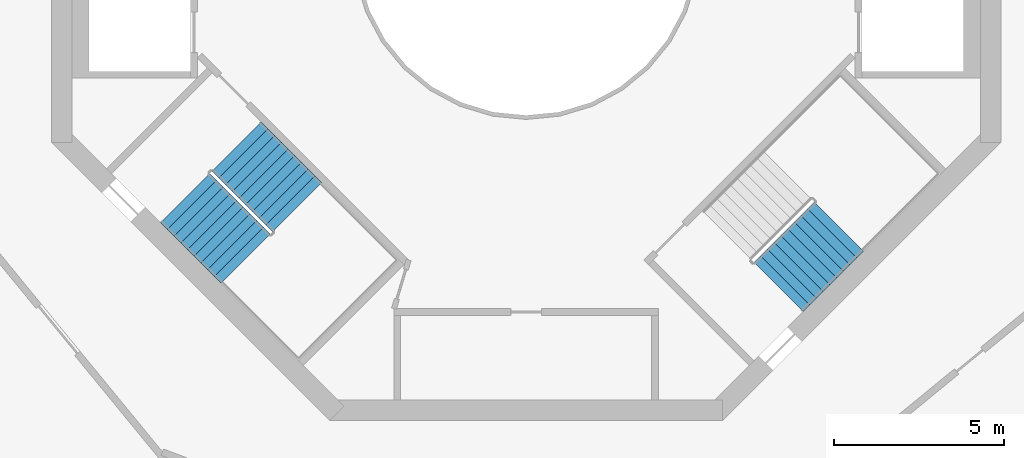
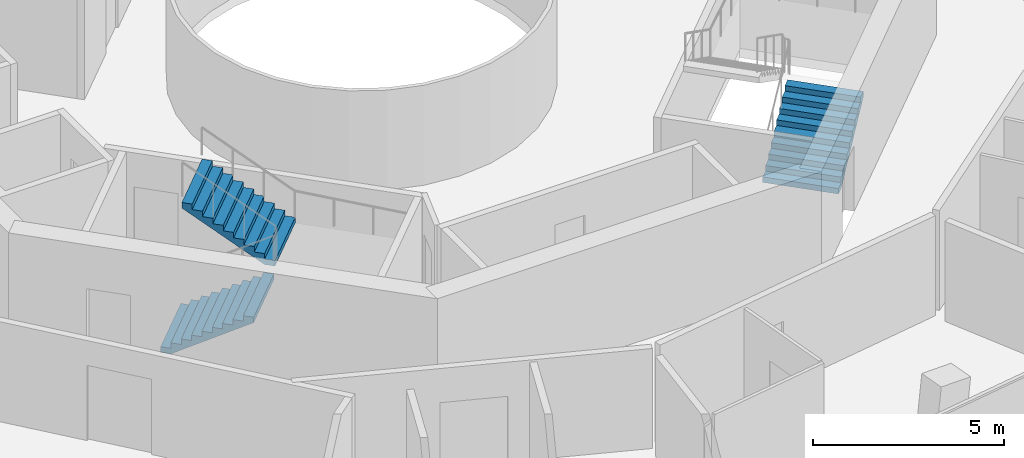
# One storey, part 19 of 21: 3 stair flights, 2 elements without a shape of their own.
"""IFC4 building model written with IfcOpenShell, lengths in metres."""

from ifc_helpers import new_model, si_unit, direction, frame, origin, place, context, subcontext, project, spatial, triangles, material, type_object, element, aggregate, save


model = new_model("IFC4")

# Units and contexts
model_context = context("Model", 3, precision=1e-05, world=origin(), true_north=direction((0.0, 1.0)))
body_context = subcontext(model_context, "Body", "Model", "MODEL_VIEW")
ifc_project = project(units=[si_unit("LENGTHUNIT", "METRE"), si_unit("AREAUNIT", "SQUARE_METRE"), si_unit("VOLUMEUNIT", "CUBIC_METRE"), si_unit("PLANEANGLEUNIT", "RADIAN"), si_unit("MASSUNIT", "GRAM", prefix="KILO")], contexts=[model_context])

# Site, building, storey
site_placement = place(None, origin())
site = spatial("IfcSite", under=ifc_project, at=site_placement, CompositionType="ELEMENT")
building_placement = place(site_placement, origin())
building = spatial("IfcBuilding", under=site, at=building_placement, Name="Verdalira Terraces Hotel", CompositionType="ELEMENT")
storey_placement = place(building_placement, frame((0.0, 0.0, 194.0)))
storey = spatial("IfcBuildingStorey", under=building, at=storey_placement, Name="L47", CompositionType="ELEMENT", Elevation=194.0)

# Stair, stair flights
ifc_material_1 = material(Name="Concrete C40", Category="concrete")
stair_type = type_object("IfcStairType", Name="Core stair 20 risers 2050 mm wide", PredefinedType="HALF_TURN_STAIR", material=ifc_material_1)
stair_1_placement = place(storey_placement, origin())
stair_1 = element("IfcStair", 1, at=stair_1_placement, inside=storey, type_object=stair_type, Name="L47 Exit stair ST2", PredefinedType="HALF_TURN_STAIR")
ifc_material_2 = material(Name="Concrete C40", Category="concrete")
stair_flight_type = type_object("IfcStairFlightType", Name="Core stair flight 20 risers 2050 mm wide", PredefinedType="STRAIGHT", material=ifc_material_2)
stair_flight_1_placement = place(storey_placement, frame((-10.058594, -7.442383, 0.0), z_axis=(0.0, 0.0, 1.0), x_axis=(0.707106781, -0.707106781, 0.0)))
stair_flight_1 = element("IfcStairFlight", 2, at=stair_flight_1_placement, type_object=stair_flight_type, Name="ST2 flight 1", NumberOfRisers=10, NumberOfTreads=9, PredefinedType="STRAIGHT", RiserHeight=0.175, TreadLength=0.28, context=body_context, shape_type="Tessellation", body=[
    triangles([(0.0, 1.025024, 0.0), (0.282715, 1.025024, 0.0), (2.52002, 1.025024, 1.398193), (0.0, -1.025024, 0.0), (0.282715, -1.025024, 0.0), (2.52002, -1.025024, 1.398193), (2.52002, 1.025024, 1.574951), (2.23999, 1.025024, 1.574951), (2.52002, -1.025024, 1.574951), (2.23999, -1.025024, 1.574951), (2.23999, 1.025024, 1.399902), (2.23999, -1.025024, 1.399902), (1.959961, 1.025024, 1.399902), (1.959961, -1.025024, 1.399902), (1.959961, 1.025024, 1.225098), (1.959961, -1.025024, 1.225098), (1.679932, 1.025024, 1.225098), (1.679932, 1.025024, 1.050049), (1.679932, -1.025024, 1.225098), (1.679932, -1.025024, 1.050049), (1.399902, 1.025024, 1.050049), (1.399902, 1.025024, 0.875), (1.399902, -1.025024, 1.050049), (1.399902, -1.025024, 0.875), (1.120117, 1.025024, 0.875), (1.120117, 1.025024, 0.699951), (1.120117, -1.025024, 0.875), (1.120117, -1.025024, 0.699951), (0.840088, 1.025024, 0.699951), (0.840088, 1.025024, 0.524902), (0.840088, -1.025024, 0.699951), (0.840088, -1.025024, 0.524902), (0.560059, 1.025024, 0.524902), (0.560059, 1.025024, 0.350098), (0.560059, -1.025024, 0.524902), (0.560059, -1.025024, 0.350098), (0.280029, 1.025024, 0.350098), (0.280029, 1.025024, 0.175049), (0.280029, -1.025024, 0.350098), (0.280029, -1.025024, 0.175049), (0.0, 1.025024, 0.175049), (0.0, -1.025024, 0.175049), (0.0, -0.96096, 0.0), (0.0, -0.96096, 0.175049), (0.0, -0.896896, 0.0), (0.0, -0.896896, 0.175049), (0.0, -0.832832, 0.0), (0.0, -0.832832, 0.175049), (0.0, -0.768768, 0.0), (0.0, -0.768768, 0.175049), (0.0, -0.704704, 0.0), (0.0, -0.704704, 0.175049), (0.0, -0.64064, 0.0), (0.0, -0.64064, 0.175049), (0.0, -0.576576, 0.0), (0.0, -0.576576, 0.175049), (0.0, -0.512512, 0.0), (0.0, -0.512512, 0.175049), (0.0, -0.448448, 0.0), (0.0, -0.448448, 0.175049), (0.0, -0.384384, 0.0), (0.0, -0.384384, 0.175049), (0.0, -0.32032, 0.0), (0.0, -0.32032, 0.175049), (0.0, -0.256256, 0.0), (0.0, -0.256256, 0.175049), (0.0, -0.192192, 0.0), (0.0, -0.192192, 0.175049), (0.0, -0.128128, 0.0), (0.0, -0.128128, 0.175049), (0.0, -0.064064, 0.0), (0.0, -0.064064, 0.175049), (0.0, 0.0, 0.0), (0.0, 0.0, 0.175049), (0.0, 0.064064, 0.0), (0.0, 0.064064, 0.175049), (0.0, 0.128128, 0.0), (0.0, 0.128128, 0.175049), (0.0, 0.192192, 0.0), (0.0, 0.192192, 0.175049), (0.0, 0.256256, 0.0), (0.0, 0.256256, 0.175049), (0.0, 0.32032, 0.0), (0.0, 0.32032, 0.175049), (0.0, 0.384384, 0.0), (0.0, 0.384384, 0.175049), (0.0, 0.448448, 0.0), (0.0, 0.448448, 0.175049), (0.0, 0.512512, 0.0), (0.0, 0.512512, 0.175049), (0.0, 0.576576, 0.0), (0.0, 0.576576, 0.175049), (0.0, 0.64064, 0.0), (0.0, 0.64064, 0.175049), (0.0, 0.704704, 0.0), (0.0, 0.704704, 0.175049), (0.0, 0.768768, 0.0), (0.0, 0.768768, 0.175049), (0.0, 0.832832, 0.0), (0.0, 0.832832, 0.175049), (0.0, 0.896896, 0.0), (0.0, 0.896896, 0.175049), (0.0, 0.96096, 0.0), (0.0, 0.96096, 0.175049), (2.52002, -0.96096, 1.574951), (2.52002, -0.896896, 1.574951), (2.52002, -0.832832, 1.574951), (2.52002, -0.768768, 1.574951), (2.52002, -0.704704, 1.574951), (2.52002, -0.64064, 1.574951), (2.52002, -0.576576, 1.574951), (2.52002, -0.512512, 1.574951), (2.52002, -0.448448, 1.574951), (2.52002, -0.384384, 1.574951), (2.52002, -0.32032, 1.574951), (2.52002, -0.256256, 1.574951), (2.52002, -0.192192, 1.574951), (2.52002, -0.128128, 1.574951), (2.52002, -0.064064, 1.574951), (2.52002, 0.0, 1.574951), (2.52002, 0.064064, 1.574951), (2.52002, 0.128128, 1.574951), (2.52002, 0.192192, 1.574951), (2.52002, 0.256256, 1.574951), (2.52002, 0.32032, 1.574951), (2.52002, 0.384384, 1.574951), (2.52002, 0.448448, 1.574951), (2.52002, 0.512512, 1.574951), (2.52002, 0.576576, 1.574951), (2.52002, 0.64064, 1.574951), (2.52002, 0.704704, 1.574951), (2.52002, 0.768768, 1.574951), (2.52002, 0.832832, 1.574951), (2.52002, 0.896896, 1.574951), (2.52002, 0.96096, 1.574951), (2.52002, -0.96096, 1.398193), (2.52002, -0.896896, 1.398193), (2.52002, -0.832832, 1.398193), (2.52002, -0.768768, 1.398193), (2.52002, -0.704704, 1.398193), (2.52002, -0.64064, 1.398193), (2.52002, -0.576576, 1.398193), (2.52002, -0.512512, 1.398193), (2.52002, -0.448448, 1.398193), (2.52002, -0.384384, 1.398193), (2.52002, -0.32032, 1.398193), (2.52002, -0.256256, 1.398193), (2.52002, -0.192192, 1.398193), (2.52002, -0.128128, 1.398193), (2.52002, -0.064064, 1.398193), (2.52002, 0.0, 1.398193), (2.52002, 0.064064, 1.398193), (2.52002, 0.128128, 1.398193), (2.52002, 0.192192, 1.398193), (2.52002, 0.256256, 1.398193), (2.52002, 0.32032, 1.398193), (2.52002, 0.384384, 1.398193), (2.52002, 0.448448, 1.398193), (2.52002, 0.512512, 1.398193), (2.52002, 0.576576, 1.398193), (2.52002, 0.64064, 1.398193), (2.52002, 0.704704, 1.398193), (2.52002, 0.768768, 1.398193), (2.52002, 0.832832, 1.398193), (2.52002, 0.896896, 1.398193), (2.52002, 0.96096, 1.398193)], [[1, 3, 2], [4, 5, 6], [3, 8, 7], [6, 9, 10], [3, 11, 8], [6, 10, 12], [3, 13, 11], [6, 12, 14], [3, 15, 13], [6, 14, 16], [15, 18, 17], [16, 19, 20], [3, 18, 15], [6, 16, 20], [18, 22, 21], [20, 23, 24], [3, 22, 18], [6, 20, 24], [22, 26, 25], [24, 27, 28], [3, 26, 22], [6, 24, 28], [26, 30, 29], [28, 31, 32], [3, 30, 26], [6, 28, 32], [1, 30, 3], [4, 6, 32], [30, 34, 33], [32, 35, 36], [34, 38, 37], [36, 39, 40], [30, 38, 34], [32, 36, 40], [1, 38, 30], [4, 32, 40], [38, 1, 41], [40, 42, 4], [4, 44, 43], [4, 42, 44], [43, 46, 45], [43, 44, 46], [45, 48, 47], [45, 46, 48], [47, 50, 49], [47, 48, 50], [49, 52, 51], [49, 50, 52], [51, 54, 53], [51, 52, 54], [53, 56, 55], [53, 54, 56], [55, 58, 57], [55, 56, 58], [57, 60, 59], [57, 58, 60], [59, 62, 61], [59, 60, 62], [61, 64, 63], [61, 62, 64], [63, 66, 65], [63, 64, 66], [65, 68, 67], [65, 66, 68], [67, 70, 69], [67, 68, 70], [69, 72, 71], [69, 70, 72], [71, 74, 73], [71, 72, 74], [73, 76, 75], [73, 74, 76], [75, 78, 77], [75, 76, 78], [77, 80, 79], [77, 78, 80], [79, 82, 81], [79, 80, 82], [81, 84, 83], [81, 82, 84], [83, 86, 85], [83, 84, 86], [85, 88, 87], [85, 86, 88], [87, 90, 89], [87, 88, 90], [89, 92, 91], [89, 90, 92], [91, 94, 93], [91, 92, 94], [93, 96, 95], [93, 94, 96], [95, 98, 97], [95, 96, 98], [97, 100, 99], [97, 98, 100], [99, 102, 101], [99, 100, 102], [101, 104, 103], [101, 102, 104], [103, 41, 1], [103, 104, 41], [42, 40, 44], [44, 40, 46], [46, 40, 48], [48, 40, 50], [50, 40, 52], [52, 40, 54], [54, 40, 56], [56, 40, 58], [58, 40, 60], [60, 40, 62], [62, 40, 64], [64, 40, 66], [66, 40, 68], [68, 40, 70], [70, 40, 72], [72, 40, 74], [74, 40, 76], [76, 40, 78], [78, 40, 80], [80, 40, 82], [82, 40, 84], [84, 40, 86], [86, 40, 88], [88, 40, 90], [90, 40, 92], [92, 40, 94], [94, 40, 96], [96, 40, 98], [98, 40, 100], [100, 40, 102], [102, 40, 104], [104, 40, 41], [41, 40, 38], [40, 37, 38], [40, 39, 37], [39, 34, 37], [39, 36, 34], [36, 33, 34], [36, 35, 33], [35, 30, 33], [35, 32, 30], [32, 29, 30], [32, 31, 29], [31, 26, 29], [31, 28, 26], [28, 25, 26], [28, 27, 25], [27, 22, 25], [27, 24, 22], [24, 21, 22], [24, 23, 21], [23, 18, 21], [23, 20, 18], [20, 17, 18], [20, 19, 17], [19, 15, 17], [19, 16, 15], [16, 13, 15], [16, 14, 13], [14, 11, 13], [14, 12, 11], [12, 8, 11], [12, 10, 8], [9, 105, 10], [105, 106, 10], [106, 107, 10], [107, 108, 10], [108, 109, 10], [109, 110, 10], [110, 111, 10], [111, 112, 10], [112, 113, 10], [113, 114, 10], [114, 115, 10], [115, 116, 10], [116, 117, 10], [117, 118, 10], [118, 119, 10], [119, 120, 10], [120, 121, 10], [121, 122, 10], [122, 123, 10], [123, 124, 10], [124, 125, 10], [125, 126, 10], [126, 127, 10], [127, 128, 10], [128, 129, 10], [129, 130, 10], [130, 131, 10], [131, 132, 10], [132, 133, 10], [133, 134, 10], [134, 135, 10], [135, 7, 10], [7, 8, 10], [9, 136, 105], [9, 6, 136], [105, 137, 106], [105, 136, 137], [106, 138, 107], [106, 137, 138], [107, 139, 108], [107, 138, 139], [108, 140, 109], [108, 139, 140], [109, 141, 110], [109, 140, 141], [110, 142, 111], [110, 141, 142], [111, 143, 112], [111, 142, 143], [112, 144, 113], [112, 143, 144], [113, 145, 114], [113, 144, 145], [114, 146, 115], [114, 145, 146], [115, 147, 116], [115, 146, 147], [116, 148, 117], [116, 147, 148], [117, 149, 118], [117, 148, 149], [118, 150, 119], [118, 149, 150], [119, 151, 120], [119, 150, 151], [120, 152, 121], [120, 151, 152], [121, 153, 122], [121, 152, 153], [122, 154, 123], [122, 153, 154], [123, 155, 124], [123, 154, 155], [124, 156, 125], [124, 155, 156], [125, 157, 126], [125, 156, 157], [126, 158, 127], [126, 157, 158], [127, 159, 128], [127, 158, 159], [128, 160, 129], [128, 159, 160], [129, 161, 130], [129, 160, 161], [130, 162, 131], [130, 161, 162], [131, 163, 132], [131, 162, 163], [132, 164, 133], [132, 163, 164], [133, 165, 134], [133, 164, 165], [134, 166, 135], [134, 165, 166], [135, 3, 7], [135, 166, 3], [6, 5, 136], [136, 5, 137], [137, 5, 138], [138, 5, 139], [139, 5, 140], [140, 5, 141], [141, 5, 142], [142, 5, 143], [143, 5, 144], [144, 5, 145], [145, 5, 146], [146, 5, 147], [147, 5, 148], [148, 5, 149], [149, 5, 150], [150, 5, 151], [151, 5, 152], [152, 5, 153], [153, 5, 154], [154, 5, 155], [155, 5, 156], [156, 5, 157], [157, 5, 158], [158, 5, 159], [159, 5, 160], [160, 5, 161], [161, 5, 162], [162, 5, 163], [163, 5, 164], [164, 5, 165], [165, 5, 166], [166, 5, 3], [3, 5, 2], [4, 43, 5], [43, 45, 5], [45, 47, 5], [47, 49, 5], [49, 51, 5], [51, 53, 5], [53, 55, 5], [55, 57, 5], [57, 59, 5], [59, 61, 5], [61, 63, 5], [63, 65, 5], [65, 67, 5], [67, 69, 5], [69, 71, 5], [71, 73, 5], [73, 75, 5], [75, 77, 5], [77, 79, 5], [79, 81, 5], [81, 83, 5], [83, 85, 5], [85, 87, 5], [87, 89, 5], [89, 91, 5], [91, 93, 5], [93, 95, 5], [95, 97, 5], [97, 99, 5], [99, 101, 5], [101, 103, 5], [103, 1, 5], [1, 2, 5]], closed=True),
])
stair_flight_2_placement = place(storey_placement, frame((-6.756348, -7.703857, 1.75), z_axis=(0.0, 0.0, 1.0), x_axis=(-0.707106781, 0.707106781, 0.0)))
stair_flight_2 = element("IfcStairFlight", 3, at=stair_flight_2_placement, type_object=stair_flight_type, Name="ST2 flight 2", NumberOfRisers=10, NumberOfTreads=9, PredefinedType="STRAIGHT", RiserHeight=0.175, TreadLength=0.28, context=body_context, shape_type="Tessellation", body=[
    triangles([(0.0, 1.025024, 0.0), (0.282715, 1.025024, 0.0), (2.52002, 1.025024, 1.398193), (0.0, -1.025024, 0.0), (0.282715, -1.025024, 0.0), (2.52002, -1.025024, 1.398193), (2.52002, 1.025024, 1.574951), (2.23999, 1.025024, 1.574951), (2.52002, -1.025024, 1.574951), (2.23999, -1.025024, 1.574951), (2.23999, 1.025024, 1.399902), (2.23999, -1.025024, 1.399902), (1.959961, 1.025024, 1.399902), (1.959961, -1.025024, 1.399902), (1.959961, 1.025024, 1.225098), (1.959961, -1.025024, 1.225098), (1.679932, 1.025024, 1.225098), (1.679932, 1.025024, 1.050049), (1.679932, -1.025024, 1.225098), (1.679932, -1.025024, 1.050049), (1.399902, 1.025024, 1.050049), (1.399902, 1.025024, 0.875), (1.399902, -1.025024, 1.050049), (1.399902, -1.025024, 0.875), (1.120117, 1.025024, 0.875), (1.120117, 1.025024, 0.699951), (1.120117, -1.025024, 0.875), (1.120117, -1.025024, 0.699951), (0.840088, 1.025024, 0.699951), (0.840088, 1.025024, 0.524902), (0.840088, -1.025024, 0.699951), (0.840088, -1.025024, 0.524902), (0.560059, 1.025024, 0.524902), (0.560059, 1.025024, 0.350098), (0.560059, -1.025024, 0.524902), (0.560059, -1.025024, 0.350098), (0.280029, 1.025024, 0.350098), (0.280029, 1.025024, 0.175049), (0.280029, -1.025024, 0.350098), (0.280029, -1.025024, 0.175049), (0.0, 1.025024, 0.175049), (0.0, -1.025024, 0.175049), (0.0, -0.96096, 0.0), (0.0, -0.96096, 0.175049), (0.0, -0.896896, 0.0), (0.0, -0.896896, 0.175049), (0.0, -0.832832, 0.0), (0.0, -0.832832, 0.175049), (0.0, -0.768768, 0.0), (0.0, -0.768768, 0.175049), (0.0, -0.704704, 0.0), (0.0, -0.704704, 0.175049), (0.0, -0.64064, 0.0), (0.0, -0.64064, 0.175049), (0.0, -0.576576, 0.0), (0.0, -0.576576, 0.175049), (0.0, -0.512512, 0.0), (0.0, -0.512512, 0.175049), (0.0, -0.448448, 0.0), (0.0, -0.448448, 0.175049), (0.0, -0.384384, 0.0), (0.0, -0.384384, 0.175049), (0.0, -0.32032, 0.0), (0.0, -0.32032, 0.175049), (0.0, -0.256256, 0.0), (0.0, -0.256256, 0.175049), (0.0, -0.192192, 0.0), (0.0, -0.192192, 0.175049), (0.0, -0.128128, 0.0), (0.0, -0.128128, 0.175049), (0.0, -0.064064, 0.0), (0.0, -0.064064, 0.175049), (0.0, 0.0, 0.0), (0.0, 0.0, 0.175049), (0.0, 0.064064, 0.0), (0.0, 0.064064, 0.175049), (0.0, 0.128128, 0.0), (0.0, 0.128128, 0.175049), (0.0, 0.192192, 0.0), (0.0, 0.192192, 0.175049), (0.0, 0.256256, 0.0), (0.0, 0.256256, 0.175049), (0.0, 0.32032, 0.0), (0.0, 0.32032, 0.175049), (0.0, 0.384384, 0.0), (0.0, 0.384384, 0.175049), (0.0, 0.448448, 0.0), (0.0, 0.448448, 0.175049), (0.0, 0.512512, 0.0), (0.0, 0.512512, 0.175049), (0.0, 0.576576, 0.0), (0.0, 0.576576, 0.175049), (0.0, 0.64064, 0.0), (0.0, 0.64064, 0.175049), (0.0, 0.704704, 0.0), (0.0, 0.704704, 0.175049), (0.0, 0.768768, 0.0), (0.0, 0.768768, 0.175049), (0.0, 0.832832, 0.0), (0.0, 0.832832, 0.175049), (0.0, 0.896896, 0.0), (0.0, 0.896896, 0.175049), (0.0, 0.96096, 0.0), (0.0, 0.96096, 0.175049), (2.52002, -0.96096, 1.574951), (2.52002, -0.896896, 1.574951), (2.52002, -0.832832, 1.574951), (2.52002, -0.768768, 1.574951), (2.52002, -0.704704, 1.574951), (2.52002, -0.64064, 1.574951), (2.52002, -0.576576, 1.574951), (2.52002, -0.512512, 1.574951), (2.52002, -0.448448, 1.574951), (2.52002, -0.384384, 1.574951), (2.52002, -0.32032, 1.574951), (2.52002, -0.256256, 1.574951), (2.52002, -0.192192, 1.574951), (2.52002, -0.128128, 1.574951), (2.52002, -0.064064, 1.574951), (2.52002, 0.0, 1.574951), (2.52002, 0.064064, 1.574951), (2.52002, 0.128128, 1.574951), (2.52002, 0.192192, 1.574951), (2.52002, 0.256256, 1.574951), (2.52002, 0.32032, 1.574951), (2.52002, 0.384384, 1.574951), (2.52002, 0.448448, 1.574951), (2.52002, 0.512512, 1.574951), (2.52002, 0.576576, 1.574951), (2.52002, 0.64064, 1.574951), (2.52002, 0.704704, 1.574951), (2.52002, 0.768768, 1.574951), (2.52002, 0.832832, 1.574951), (2.52002, 0.896896, 1.574951), (2.52002, 0.96096, 1.574951), (2.52002, -0.96096, 1.398193), (2.52002, -0.896896, 1.398193), (2.52002, -0.832832, 1.398193), (2.52002, -0.768768, 1.398193), (2.52002, -0.704704, 1.398193), (2.52002, -0.64064, 1.398193), (2.52002, -0.576576, 1.398193), (2.52002, -0.512512, 1.398193), (2.52002, -0.448448, 1.398193), (2.52002, -0.384384, 1.398193), (2.52002, -0.32032, 1.398193), (2.52002, -0.256256, 1.398193), (2.52002, -0.192192, 1.398193), (2.52002, -0.128128, 1.398193), (2.52002, -0.064064, 1.398193), (2.52002, 0.0, 1.398193), (2.52002, 0.064064, 1.398193), (2.52002, 0.128128, 1.398193), (2.52002, 0.192192, 1.398193), (2.52002, 0.256256, 1.398193), (2.52002, 0.32032, 1.398193), (2.52002, 0.384384, 1.398193), (2.52002, 0.448448, 1.398193), (2.52002, 0.512512, 1.398193), (2.52002, 0.576576, 1.398193), (2.52002, 0.64064, 1.398193), (2.52002, 0.704704, 1.398193), (2.52002, 0.768768, 1.398193), (2.52002, 0.832832, 1.398193), (2.52002, 0.896896, 1.398193), (2.52002, 0.96096, 1.398193)], [[1, 3, 2], [4, 5, 6], [3, 8, 7], [6, 9, 10], [3, 11, 8], [6, 10, 12], [3, 13, 11], [6, 12, 14], [3, 15, 13], [6, 14, 16], [15, 18, 17], [16, 19, 20], [3, 18, 15], [6, 16, 20], [18, 22, 21], [20, 23, 24], [3, 22, 18], [6, 20, 24], [22, 26, 25], [24, 27, 28], [3, 26, 22], [6, 24, 28], [26, 30, 29], [28, 31, 32], [3, 30, 26], [6, 28, 32], [1, 30, 3], [4, 6, 32], [30, 34, 33], [32, 35, 36], [34, 38, 37], [36, 39, 40], [30, 38, 34], [32, 36, 40], [1, 38, 30], [4, 32, 40], [38, 1, 41], [40, 42, 4], [4, 44, 43], [4, 42, 44], [43, 46, 45], [43, 44, 46], [45, 48, 47], [45, 46, 48], [47, 50, 49], [47, 48, 50], [49, 52, 51], [49, 50, 52], [51, 54, 53], [51, 52, 54], [53, 56, 55], [53, 54, 56], [55, 58, 57], [55, 56, 58], [57, 60, 59], [57, 58, 60], [59, 62, 61], [59, 60, 62], [61, 64, 63], [61, 62, 64], [63, 66, 65], [63, 64, 66], [65, 68, 67], [65, 66, 68], [67, 70, 69], [67, 68, 70], [69, 72, 71], [69, 70, 72], [71, 74, 73], [71, 72, 74], [73, 76, 75], [73, 74, 76], [75, 78, 77], [75, 76, 78], [77, 80, 79], [77, 78, 80], [79, 82, 81], [79, 80, 82], [81, 84, 83], [81, 82, 84], [83, 86, 85], [83, 84, 86], [85, 88, 87], [85, 86, 88], [87, 90, 89], [87, 88, 90], [89, 92, 91], [89, 90, 92], [91, 94, 93], [91, 92, 94], [93, 96, 95], [93, 94, 96], [95, 98, 97], [95, 96, 98], [97, 100, 99], [97, 98, 100], [99, 102, 101], [99, 100, 102], [101, 104, 103], [101, 102, 104], [103, 41, 1], [103, 104, 41], [42, 40, 44], [44, 40, 46], [46, 40, 48], [48, 40, 50], [50, 40, 52], [52, 40, 54], [54, 40, 56], [56, 40, 58], [58, 40, 60], [60, 40, 62], [62, 40, 64], [64, 40, 66], [66, 40, 68], [68, 40, 70], [70, 40, 72], [72, 40, 74], [74, 40, 76], [76, 40, 78], [78, 40, 80], [80, 40, 82], [82, 40, 84], [84, 40, 86], [86, 40, 88], [88, 40, 90], [90, 40, 92], [92, 40, 94], [94, 40, 96], [96, 40, 98], [98, 40, 100], [100, 40, 102], [102, 40, 104], [104, 40, 41], [41, 40, 38], [40, 37, 38], [40, 39, 37], [39, 34, 37], [39, 36, 34], [36, 33, 34], [36, 35, 33], [35, 30, 33], [35, 32, 30], [32, 29, 30], [32, 31, 29], [31, 26, 29], [31, 28, 26], [28, 25, 26], [28, 27, 25], [27, 22, 25], [27, 24, 22], [24, 21, 22], [24, 23, 21], [23, 18, 21], [23, 20, 18], [20, 17, 18], [20, 19, 17], [19, 15, 17], [19, 16, 15], [16, 13, 15], [16, 14, 13], [14, 11, 13], [14, 12, 11], [12, 8, 11], [12, 10, 8], [9, 105, 10], [105, 106, 10], [106, 107, 10], [107, 108, 10], [108, 109, 10], [109, 110, 10], [110, 111, 10], [111, 112, 10], [112, 113, 10], [113, 114, 10], [114, 115, 10], [115, 116, 10], [116, 117, 10], [117, 118, 10], [118, 119, 10], [119, 120, 10], [120, 121, 10], [121, 122, 10], [122, 123, 10], [123, 124, 10], [124, 125, 10], [125, 126, 10], [126, 127, 10], [127, 128, 10], [128, 129, 10], [129, 130, 10], [130, 131, 10], [131, 132, 10], [132, 133, 10], [133, 134, 10], [134, 135, 10], [135, 7, 10], [7, 8, 10], [9, 136, 105], [9, 6, 136], [105, 137, 106], [105, 136, 137], [106, 138, 107], [106, 137, 138], [107, 139, 108], [107, 138, 139], [108, 140, 109], [108, 139, 140], [109, 141, 110], [109, 140, 141], [110, 142, 111], [110, 141, 142], [111, 143, 112], [111, 142, 143], [112, 144, 113], [112, 143, 144], [113, 145, 114], [113, 144, 145], [114, 146, 115], [114, 145, 146], [115, 147, 116], [115, 146, 147], [116, 148, 117], [116, 147, 148], [117, 149, 118], [117, 148, 149], [118, 150, 119], [118, 149, 150], [119, 151, 120], [119, 150, 151], [120, 152, 121], [120, 151, 152], [121, 153, 122], [121, 152, 153], [122, 154, 123], [122, 153, 154], [123, 155, 124], [123, 154, 155], [124, 156, 125], [124, 155, 156], [125, 157, 126], [125, 156, 157], [126, 158, 127], [126, 157, 158], [127, 159, 128], [127, 158, 159], [128, 160, 129], [128, 159, 160], [129, 161, 130], [129, 160, 161], [130, 162, 131], [130, 161, 162], [131, 163, 132], [131, 162, 163], [132, 164, 133], [132, 163, 164], [133, 165, 134], [133, 164, 165], [134, 166, 135], [134, 165, 166], [135, 3, 7], [135, 166, 3], [6, 5, 136], [136, 5, 137], [137, 5, 138], [138, 5, 139], [139, 5, 140], [140, 5, 141], [141, 5, 142], [142, 5, 143], [143, 5, 144], [144, 5, 145], [145, 5, 146], [146, 5, 147], [147, 5, 148], [148, 5, 149], [149, 5, 150], [150, 5, 151], [151, 5, 152], [152, 5, 153], [153, 5, 154], [154, 5, 155], [155, 5, 156], [156, 5, 157], [157, 5, 158], [158, 5, 159], [159, 5, 160], [160, 5, 161], [161, 5, 162], [162, 5, 163], [163, 5, 164], [164, 5, 165], [165, 5, 166], [166, 5, 3], [3, 5, 2], [4, 43, 5], [43, 45, 5], [45, 47, 5], [47, 49, 5], [49, 51, 5], [51, 53, 5], [53, 55, 5], [55, 57, 5], [57, 59, 5], [59, 61, 5], [61, 63, 5], [63, 65, 5], [65, 67, 5], [67, 69, 5], [69, 71, 5], [71, 73, 5], [73, 75, 5], [75, 77, 5], [77, 79, 5], [79, 81, 5], [81, 83, 5], [83, 85, 5], [85, 87, 5], [87, 89, 5], [89, 91, 5], [91, 93, 5], [93, 95, 5], [95, 97, 5], [97, 99, 5], [99, 101, 5], [101, 103, 5], [103, 1, 5], [1, 2, 5]], closed=True),
])
aggregate(stair_1, [stair_flight_1, stair_flight_2])

# Stair, stair flight
stair_2_placement = place(storey_placement, origin())
stair_2 = element("IfcStair", 4, at=stair_2_placement, inside=storey, type_object=stair_type, Name="L47 Exit stair ST3", PredefinedType="HALF_TURN_STAIR")
stair_flight_3_placement = place(storey_placement, frame((7.442383, -10.058594, 0.0), z_axis=(0.0, 0.0, 1.0), x_axis=(0.707106781, 0.707106781, 0.0)))
stair_flight_3 = element("IfcStairFlight", 5, at=stair_flight_3_placement, type_object=stair_flight_type, Name="ST3 flight 1", NumberOfRisers=10, NumberOfTreads=9, PredefinedType="STRAIGHT", RiserHeight=0.175, TreadLength=0.28, context=body_context, shape_type="Tessellation", body=[
    triangles([(0.0, 1.025024, 0.0), (0.282715, 1.025024, 0.0), (2.52002, 1.025024, 1.398193), (0.0, -1.025024, 0.0), (0.282715, -1.025024, 0.0), (2.52002, -1.025024, 1.398193), (2.52002, 1.025024, 1.574951), (2.23999, 1.025024, 1.574951), (2.52002, -1.025024, 1.574951), (2.23999, -1.025024, 1.574951), (2.23999, 1.025024, 1.399902), (2.23999, -1.025024, 1.399902), (1.959961, 1.025024, 1.399902), (1.959961, -1.025024, 1.399902), (1.959961, 1.025024, 1.225098), (1.959961, -1.025024, 1.225098), (1.679932, 1.025024, 1.225098), (1.679932, 1.025024, 1.050049), (1.679932, -1.025024, 1.225098), (1.679932, -1.025024, 1.050049), (1.399902, 1.025024, 1.050049), (1.399902, 1.025024, 0.875), (1.399902, -1.025024, 1.050049), (1.399902, -1.025024, 0.875), (1.120117, 1.025024, 0.875), (1.120117, 1.025024, 0.699951), (1.120117, -1.025024, 0.875), (1.120117, -1.025024, 0.699951), (0.840088, 1.025024, 0.699951), (0.840088, 1.025024, 0.524902), (0.840088, -1.025024, 0.699951), (0.840088, -1.025024, 0.524902), (0.560059, 1.025024, 0.524902), (0.560059, 1.025024, 0.350098), (0.560059, -1.025024, 0.524902), (0.560059, -1.025024, 0.350098), (0.280029, 1.025024, 0.350098), (0.280029, 1.025024, 0.175049), (0.280029, -1.025024, 0.350098), (0.280029, -1.025024, 0.175049), (0.0, 1.025024, 0.175049), (0.0, -1.025024, 0.175049), (0.0, -0.96096, 0.0), (0.0, -0.96096, 0.175049), (0.0, -0.896896, 0.0), (0.0, -0.896896, 0.175049), (0.0, -0.832832, 0.0), (0.0, -0.832832, 0.175049), (0.0, -0.768768, 0.0), (0.0, -0.768768, 0.175049), (0.0, -0.704704, 0.0), (0.0, -0.704704, 0.175049), (0.0, -0.64064, 0.0), (0.0, -0.64064, 0.175049), (0.0, -0.576576, 0.0), (0.0, -0.576576, 0.175049), (0.0, -0.512512, 0.0), (0.0, -0.512512, 0.175049), (0.0, -0.448448, 0.0), (0.0, -0.448448, 0.175049), (0.0, -0.384384, 0.0), (0.0, -0.384384, 0.175049), (0.0, -0.32032, 0.0), (0.0, -0.32032, 0.175049), (0.0, -0.256256, 0.0), (0.0, -0.256256, 0.175049), (0.0, -0.192192, 0.0), (0.0, -0.192192, 0.175049), (0.0, -0.128128, 0.0), (0.0, -0.128128, 0.175049), (0.0, -0.064064, 0.0), (0.0, -0.064064, 0.175049), (0.0, 0.0, 0.0), (0.0, 0.0, 0.175049), (0.0, 0.064064, 0.0), (0.0, 0.064064, 0.175049), (0.0, 0.128128, 0.0), (0.0, 0.128128, 0.175049), (0.0, 0.192192, 0.0), (0.0, 0.192192, 0.175049), (0.0, 0.256256, 0.0), (0.0, 0.256256, 0.175049), (0.0, 0.32032, 0.0), (0.0, 0.32032, 0.175049), (0.0, 0.384384, 0.0), (0.0, 0.384384, 0.175049), (0.0, 0.448448, 0.0), (0.0, 0.448448, 0.175049), (0.0, 0.512512, 0.0), (0.0, 0.512512, 0.175049), (0.0, 0.576576, 0.0), (0.0, 0.576576, 0.175049), (0.0, 0.64064, 0.0), (0.0, 0.64064, 0.175049), (0.0, 0.704704, 0.0), (0.0, 0.704704, 0.175049), (0.0, 0.768768, 0.0), (0.0, 0.768768, 0.175049), (0.0, 0.832832, 0.0), (0.0, 0.832832, 0.175049), (0.0, 0.896896, 0.0), (0.0, 0.896896, 0.175049), (0.0, 0.96096, 0.0), (0.0, 0.96096, 0.175049), (2.52002, -0.96096, 1.574951), (2.52002, -0.896896, 1.574951), (2.52002, -0.832832, 1.574951), (2.52002, -0.768768, 1.574951), (2.52002, -0.704704, 1.574951), (2.52002, -0.64064, 1.574951), (2.52002, -0.576576, 1.574951), (2.52002, -0.512512, 1.574951), (2.52002, -0.448448, 1.574951), (2.52002, -0.384384, 1.574951), (2.52002, -0.32032, 1.574951), (2.52002, -0.256256, 1.574951), (2.52002, -0.192192, 1.574951), (2.52002, -0.128128, 1.574951), (2.52002, -0.064064, 1.574951), (2.52002, 0.0, 1.574951), (2.52002, 0.064064, 1.574951), (2.52002, 0.128128, 1.574951), (2.52002, 0.192192, 1.574951), (2.52002, 0.256256, 1.574951), (2.52002, 0.32032, 1.574951), (2.52002, 0.384384, 1.574951), (2.52002, 0.448448, 1.574951), (2.52002, 0.512512, 1.574951), (2.52002, 0.576576, 1.574951), (2.52002, 0.64064, 1.574951), (2.52002, 0.704704, 1.574951), (2.52002, 0.768768, 1.574951), (2.52002, 0.832832, 1.574951), (2.52002, 0.896896, 1.574951), (2.52002, 0.96096, 1.574951), (2.52002, -0.96096, 1.398193), (2.52002, -0.896896, 1.398193), (2.52002, -0.832832, 1.398193), (2.52002, -0.768768, 1.398193), (2.52002, -0.704704, 1.398193), (2.52002, -0.64064, 1.398193), (2.52002, -0.576576, 1.398193), (2.52002, -0.512512, 1.398193), (2.52002, -0.448448, 1.398193), (2.52002, -0.384384, 1.398193), (2.52002, -0.32032, 1.398193), (2.52002, -0.256256, 1.398193), (2.52002, -0.192192, 1.398193), (2.52002, -0.128128, 1.398193), (2.52002, -0.064064, 1.398193), (2.52002, 0.0, 1.398193), (2.52002, 0.064064, 1.398193), (2.52002, 0.128128, 1.398193), (2.52002, 0.192192, 1.398193), (2.52002, 0.256256, 1.398193), (2.52002, 0.32032, 1.398193), (2.52002, 0.384384, 1.398193), (2.52002, 0.448448, 1.398193), (2.52002, 0.512512, 1.398193), (2.52002, 0.576576, 1.398193), (2.52002, 0.64064, 1.398193), (2.52002, 0.704704, 1.398193), (2.52002, 0.768768, 1.398193), (2.52002, 0.832832, 1.398193), (2.52002, 0.896896, 1.398193), (2.52002, 0.96096, 1.398193)], [[1, 3, 2], [4, 5, 6], [3, 8, 7], [6, 9, 10], [3, 11, 8], [6, 10, 12], [3, 13, 11], [6, 12, 14], [3, 15, 13], [6, 14, 16], [15, 18, 17], [16, 19, 20], [3, 18, 15], [6, 16, 20], [18, 22, 21], [20, 23, 24], [3, 22, 18], [6, 20, 24], [22, 26, 25], [24, 27, 28], [3, 26, 22], [6, 24, 28], [26, 30, 29], [28, 31, 32], [3, 30, 26], [6, 28, 32], [1, 30, 3], [4, 6, 32], [30, 34, 33], [32, 35, 36], [34, 38, 37], [36, 39, 40], [30, 38, 34], [32, 36, 40], [1, 38, 30], [4, 32, 40], [38, 1, 41], [40, 42, 4], [4, 44, 43], [4, 42, 44], [43, 46, 45], [43, 44, 46], [45, 48, 47], [45, 46, 48], [47, 50, 49], [47, 48, 50], [49, 52, 51], [49, 50, 52], [51, 54, 53], [51, 52, 54], [53, 56, 55], [53, 54, 56], [55, 58, 57], [55, 56, 58], [57, 60, 59], [57, 58, 60], [59, 62, 61], [59, 60, 62], [61, 64, 63], [61, 62, 64], [63, 66, 65], [63, 64, 66], [65, 68, 67], [65, 66, 68], [67, 70, 69], [67, 68, 70], [69, 72, 71], [69, 70, 72], [71, 74, 73], [71, 72, 74], [73, 76, 75], [73, 74, 76], [75, 78, 77], [75, 76, 78], [77, 80, 79], [77, 78, 80], [79, 82, 81], [79, 80, 82], [81, 84, 83], [81, 82, 84], [83, 86, 85], [83, 84, 86], [85, 88, 87], [85, 86, 88], [87, 90, 89], [87, 88, 90], [89, 92, 91], [89, 90, 92], [91, 94, 93], [91, 92, 94], [93, 96, 95], [93, 94, 96], [95, 98, 97], [95, 96, 98], [97, 100, 99], [97, 98, 100], [99, 102, 101], [99, 100, 102], [101, 104, 103], [101, 102, 104], [103, 41, 1], [103, 104, 41], [42, 40, 44], [44, 40, 46], [46, 40, 48], [48, 40, 50], [50, 40, 52], [52, 40, 54], [54, 40, 56], [56, 40, 58], [58, 40, 60], [60, 40, 62], [62, 40, 64], [64, 40, 66], [66, 40, 68], [68, 40, 70], [70, 40, 72], [72, 40, 74], [74, 40, 76], [76, 40, 78], [78, 40, 80], [80, 40, 82], [82, 40, 84], [84, 40, 86], [86, 40, 88], [88, 40, 90], [90, 40, 92], [92, 40, 94], [94, 40, 96], [96, 40, 98], [98, 40, 100], [100, 40, 102], [102, 40, 104], [104, 40, 41], [41, 40, 38], [40, 37, 38], [40, 39, 37], [39, 34, 37], [39, 36, 34], [36, 33, 34], [36, 35, 33], [35, 30, 33], [35, 32, 30], [32, 29, 30], [32, 31, 29], [31, 26, 29], [31, 28, 26], [28, 25, 26], [28, 27, 25], [27, 22, 25], [27, 24, 22], [24, 21, 22], [24, 23, 21], [23, 18, 21], [23, 20, 18], [20, 17, 18], [20, 19, 17], [19, 15, 17], [19, 16, 15], [16, 13, 15], [16, 14, 13], [14, 11, 13], [14, 12, 11], [12, 8, 11], [12, 10, 8], [9, 105, 10], [105, 106, 10], [106, 107, 10], [107, 108, 10], [108, 109, 10], [109, 110, 10], [110, 111, 10], [111, 112, 10], [112, 113, 10], [113, 114, 10], [114, 115, 10], [115, 116, 10], [116, 117, 10], [117, 118, 10], [118, 119, 10], [119, 120, 10], [120, 121, 10], [121, 122, 10], [122, 123, 10], [123, 124, 10], [124, 125, 10], [125, 126, 10], [126, 127, 10], [127, 128, 10], [128, 129, 10], [129, 130, 10], [130, 131, 10], [131, 132, 10], [132, 133, 10], [133, 134, 10], [134, 135, 10], [135, 7, 10], [7, 8, 10], [9, 136, 105], [9, 6, 136], [105, 137, 106], [105, 136, 137], [106, 138, 107], [106, 137, 138], [107, 139, 108], [107, 138, 139], [108, 140, 109], [108, 139, 140], [109, 141, 110], [109, 140, 141], [110, 142, 111], [110, 141, 142], [111, 143, 112], [111, 142, 143], [112, 144, 113], [112, 143, 144], [113, 145, 114], [113, 144, 145], [114, 146, 115], [114, 145, 146], [115, 147, 116], [115, 146, 147], [116, 148, 117], [116, 147, 148], [117, 149, 118], [117, 148, 149], [118, 150, 119], [118, 149, 150], [119, 151, 120], [119, 150, 151], [120, 152, 121], [120, 151, 152], [121, 153, 122], [121, 152, 153], [122, 154, 123], [122, 153, 154], [123, 155, 124], [123, 154, 155], [124, 156, 125], [124, 155, 156], [125, 157, 126], [125, 156, 157], [126, 158, 127], [126, 157, 158], [127, 159, 128], [127, 158, 159], [128, 160, 129], [128, 159, 160], [129, 161, 130], [129, 160, 161], [130, 162, 131], [130, 161, 162], [131, 163, 132], [131, 162, 163], [132, 164, 133], [132, 163, 164], [133, 165, 134], [133, 164, 165], [134, 166, 135], [134, 165, 166], [135, 3, 7], [135, 166, 3], [6, 5, 136], [136, 5, 137], [137, 5, 138], [138, 5, 139], [139, 5, 140], [140, 5, 141], [141, 5, 142], [142, 5, 143], [143, 5, 144], [144, 5, 145], [145, 5, 146], [146, 5, 147], [147, 5, 148], [148, 5, 149], [149, 5, 150], [150, 5, 151], [151, 5, 152], [152, 5, 153], [153, 5, 154], [154, 5, 155], [155, 5, 156], [156, 5, 157], [157, 5, 158], [158, 5, 159], [159, 5, 160], [160, 5, 161], [161, 5, 162], [162, 5, 163], [163, 5, 164], [164, 5, 165], [165, 5, 166], [166, 5, 3], [3, 5, 2], [4, 43, 5], [43, 45, 5], [45, 47, 5], [47, 49, 5], [49, 51, 5], [51, 53, 5], [53, 55, 5], [55, 57, 5], [57, 59, 5], [59, 61, 5], [61, 63, 5], [63, 65, 5], [65, 67, 5], [67, 69, 5], [69, 71, 5], [71, 73, 5], [73, 75, 5], [75, 77, 5], [77, 79, 5], [79, 81, 5], [81, 83, 5], [83, 85, 5], [85, 87, 5], [87, 89, 5], [89, 91, 5], [91, 93, 5], [93, 95, 5], [95, 97, 5], [97, 99, 5], [99, 101, 5], [101, 103, 5], [103, 1, 5], [1, 2, 5]], closed=True),
])
aggregate(stair_2, [stair_flight_3])

save(model, "model.ifc")
